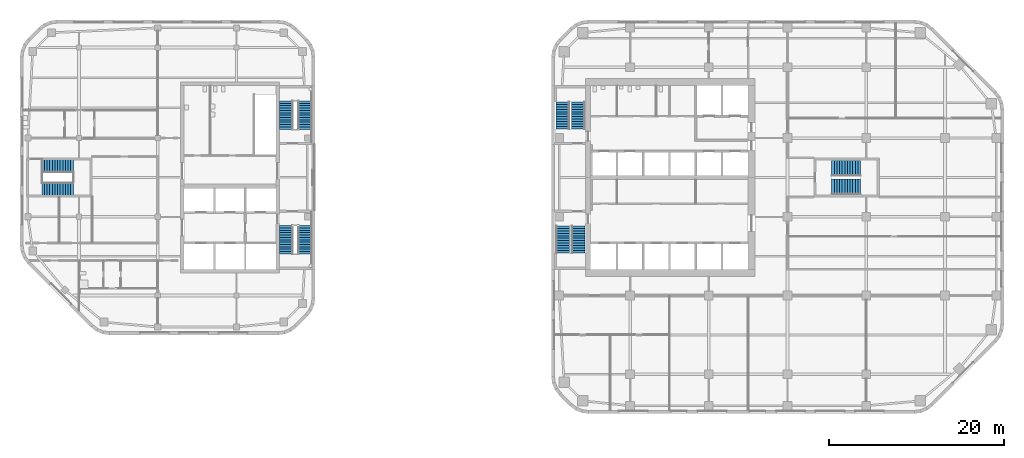
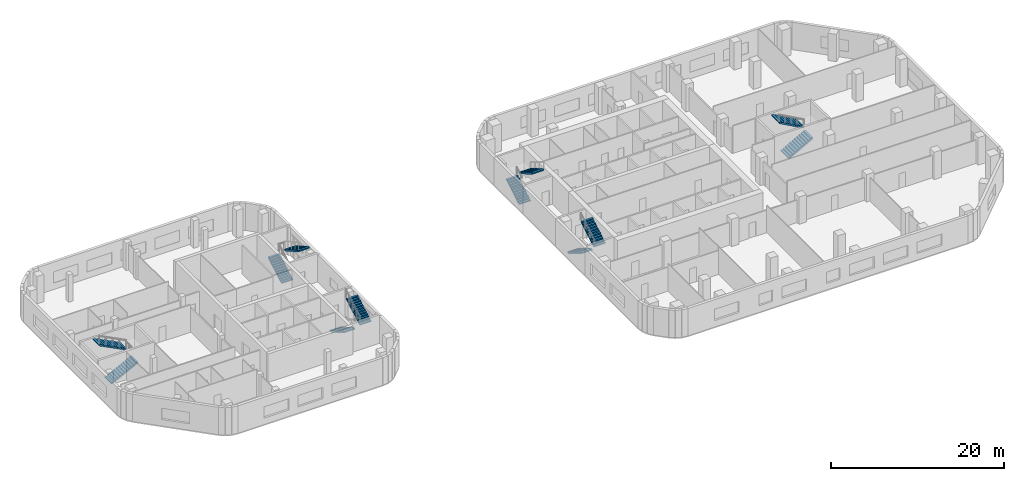
# One storey, part 11 of 14: 12 stair flights, 6 elements without a shape of their own.
"""IFC4 building model written with IfcOpenShell, lengths in metres."""

from ifc_helpers import new_model, si_unit, direction, frame, origin, place, context, subcontext, project, spatial, polyline, outline, extrude, material, type_object, element, aggregate, save


model = new_model("IFC4")

# Units and contexts
model_context = context("Model", 3, precision=1e-05, world=origin(), true_north=direction((0.0, 1.0)))
body_context = subcontext(model_context, "Body", "Model", "MODEL_VIEW")
ifc_project = project(units=[si_unit("LENGTHUNIT", "METRE"), si_unit("AREAUNIT", "SQUARE_METRE"), si_unit("VOLUMEUNIT", "CUBIC_METRE"), si_unit("PLANEANGLEUNIT", "RADIAN"), si_unit("MASSUNIT", "GRAM", prefix="KILO")], contexts=[model_context])

# Site, building, storey
site_placement = place(None, origin())
site = spatial("IfcSite", under=ifc_project, at=site_placement, CompositionType="ELEMENT")
building_placement = place(site_placement, origin())
building = spatial("IfcBuilding", under=site, at=building_placement, Name="Cinnabar Reach Civic Tower", CompositionType="ELEMENT")
storey_placement = place(building_placement, frame((0.0, 0.0, 124.0)))
storey = spatial("IfcBuildingStorey", under=building, at=storey_placement, Name="L29", CompositionType="ELEMENT", Elevation=124.0)

# Stair, stair flights
ifc_material_1 = material(Name="Concrete C40/50", Category="concrete")
stair_type_1 = type_object("IfcStairType", Name="T1 Exit stair, half-turn", PredefinedType="HALF_TURN_STAIR", material=ifc_material_1)
stair_1_placement = place(storey_placement, origin())
stair_1 = element("IfcStair", 1, at=stair_1_placement, inside=storey, type_object=stair_type_1, Name="Stair T1-S1", PredefinedType="HALF_TURN_STAIR")
stair_flight_type_1 = type_object("IfcStairFlightType", Name="T1 Stair flight, concrete", PredefinedType="STRAIGHT", material=ifc_material_1)
stair_flight_1_placement = place(storey_placement, frame((1.3125, 25.95, 0.0), z_axis=(0.0, 0.0, 1.0), x_axis=(0.0, -1.0, 0.0)))
stair_flight_1 = element("IfcStairFlight", 2, at=stair_flight_1_placement, type_object=stair_flight_type_1, Name="T1-S1 flight 1", NumberOfRisers=12, NumberOfTreads=11, PredefinedType="STRAIGHT", RiserHeight=0.166666667, TreadLength=0.28, context=body_context, shape_type="SweptSolid", body=[
    extrude(outline(polyline([(0.0, 0.0), (0.0, 0.1667), (0.28, 0.1667), (0.28, 0.3333), (0.56, 0.3333), (0.56, 0.5), (0.84, 0.5), (0.84, 0.6667), (1.12, 0.6667), (1.12, 0.8333), (1.4, 0.8333), (1.4, 1.0), (1.68, 1.0), (1.68, 1.1667), (1.96, 1.1667), (1.96, 1.3333), (2.24, 1.3333), (2.24, 1.5), (2.52, 1.5), (2.52, 1.6667), (2.8, 1.6667), (2.8, 1.8333), (3.08, 1.8333), (3.08, 2.0), (3.08, 1.6588), (0.2933, 0.0), (0.0, 0.0)])), frame((0.0, 0.7625, 0.0), z_axis=(0.0, -1.0, 0.0), x_axis=(1.0, 0.0, 0.0)), (0.0, 0.0, 1.0), 1.525),
])
stair_flight_2_placement = place(storey_placement, frame((3.0875, 22.87, 2.0), z_axis=(0.0, 0.0, 1.0), x_axis=(0.0, 1.0, 0.0)))
stair_flight_2 = element("IfcStairFlight", 3, at=stair_flight_2_placement, type_object=stair_flight_type_1, Name="T1-S1 flight 2", NumberOfRisers=12, NumberOfTreads=11, PredefinedType="STRAIGHT", RiserHeight=0.166666667, TreadLength=0.28, context=body_context, shape_type="SweptSolid", body=[
    extrude(outline(polyline([(0.0, 0.0), (0.0, 0.1667), (0.28, 0.1667), (0.28, 0.3333), (0.56, 0.3333), (0.56, 0.5), (0.84, 0.5), (0.84, 0.6667), (1.12, 0.6667), (1.12, 0.8333), (1.4, 0.8333), (1.4, 1.0), (1.68, 1.0), (1.68, 1.1667), (1.96, 1.1667), (1.96, 1.3333), (2.24, 1.3333), (2.24, 1.5), (2.52, 1.5), (2.52, 1.6667), (2.8, 1.6667), (2.8, 1.8333), (3.08, 1.8333), (3.08, 2.0), (3.08, 1.6588), (0.2933, 0.0), (0.0, 0.0)])), frame((0.0, 0.7625, 0.0), z_axis=(0.0, -1.0, 0.0), x_axis=(1.0, 0.0, 0.0)), (0.0, 0.0, 1.0), 1.525),
])
aggregate(stair_1, [stair_flight_1, stair_flight_2])

stair_2_placement = place(storey_placement, origin())
stair_2 = element("IfcStair", 4, at=stair_2_placement, inside=storey, type_object=stair_type_1, Name="Stair T1-S2", PredefinedType="HALF_TURN_STAIR")
stair_flight_3_placement = place(storey_placement, frame((1.3125, 37.05, 0.0), z_axis=(0.0, 0.0, 1.0), x_axis=(0.0, 1.0, 0.0)))
stair_flight_3 = element("IfcStairFlight", 5, at=stair_flight_3_placement, type_object=stair_flight_type_1, Name="T1-S2 flight 1", NumberOfRisers=12, NumberOfTreads=11, PredefinedType="STRAIGHT", RiserHeight=0.166666667, TreadLength=0.28, context=body_context, shape_type="SweptSolid", body=[
    extrude(outline(polyline([(0.0, 0.0), (0.0, 0.1667), (0.28, 0.1667), (0.28, 0.3333), (0.56, 0.3333), (0.56, 0.5), (0.84, 0.5), (0.84, 0.6667), (1.12, 0.6667), (1.12, 0.8333), (1.4, 0.8333), (1.4, 1.0), (1.68, 1.0), (1.68, 1.1667), (1.96, 1.1667), (1.96, 1.3333), (2.24, 1.3333), (2.24, 1.5), (2.52, 1.5), (2.52, 1.6667), (2.8, 1.6667), (2.8, 1.8333), (3.08, 1.8333), (3.08, 2.0), (3.08, 1.6588), (0.2933, 0.0), (0.0, 0.0)])), frame((0.0, 0.7625, 0.0), z_axis=(0.0, -1.0, 0.0), x_axis=(1.0, 0.0, 0.0)), (0.0, 0.0, 1.0), 1.525),
])
stair_flight_4_placement = place(storey_placement, frame((3.0875, 40.13, 2.0), z_axis=(0.0, 0.0, 1.0), x_axis=(0.0, -1.0, 0.0)))
stair_flight_4 = element("IfcStairFlight", 6, at=stair_flight_4_placement, type_object=stair_flight_type_1, Name="T1-S2 flight 2", NumberOfRisers=12, NumberOfTreads=11, PredefinedType="STRAIGHT", RiserHeight=0.166666667, TreadLength=0.28, context=body_context, shape_type="SweptSolid", body=[
    extrude(outline(polyline([(0.0, 0.0), (0.0, 0.1667), (0.28, 0.1667), (0.28, 0.3333), (0.56, 0.3333), (0.56, 0.5), (0.84, 0.5), (0.84, 0.6667), (1.12, 0.6667), (1.12, 0.8333), (1.4, 0.8333), (1.4, 1.0), (1.68, 1.0), (1.68, 1.1667), (1.96, 1.1667), (1.96, 1.3333), (2.24, 1.3333), (2.24, 1.5), (2.52, 1.5), (2.52, 1.6667), (2.8, 1.6667), (2.8, 1.8333), (3.08, 1.8333), (3.08, 2.0), (3.08, 1.6588), (0.2933, 0.0), (0.0, 0.0)])), frame((0.0, 0.7625, 0.0), z_axis=(0.0, -1.0, 0.0), x_axis=(1.0, 0.0, 0.0)), (0.0, 0.0, 1.0), 1.525),
])
aggregate(stair_2, [stair_flight_3, stair_flight_4])

stair_3_placement = place(storey_placement, origin())
stair_3 = element("IfcStair", 7, at=stair_3_placement, inside=storey, type_object=stair_type_1, Name="Stair T1-S3", PredefinedType="HALF_TURN_STAIR")
stair_flight_5_placement = place(storey_placement, frame((32.05, 30.45, 0.0), z_axis=(0.0, 0.0, 1.0), x_axis=(1.0, 0.0, 0.0)))
stair_flight_5 = element("IfcStairFlight", 8, at=stair_flight_5_placement, type_object=stair_flight_type_1, Name="T1-S3 flight 1", NumberOfRisers=12, NumberOfTreads=11, PredefinedType="STRAIGHT", RiserHeight=0.166666667, TreadLength=0.3, context=body_context, shape_type="SweptSolid", body=[
    extrude(outline(polyline([(0.0, 0.0), (0.0, 0.1667), (0.3, 0.1667), (0.3, 0.3333), (0.6, 0.3333), (0.6, 0.5), (0.9, 0.5), (0.9, 0.6667), (1.2, 0.6667), (1.2, 0.8333), (1.5, 0.8333), (1.5, 1.0), (1.8, 1.0), (1.8, 1.1667), (2.1, 1.1667), (2.1, 1.3333), (2.4, 1.3333), (2.4, 1.5), (2.7, 1.5), (2.7, 1.6667), (3.0, 1.6667), (3.0, 1.8333), (3.3, 1.8333), (3.3, 2.0), (3.3, 1.6617), (0.3089, 0.0), (0.0, 0.0)])), frame((0.0, 0.9, 0.0), z_axis=(0.0, -1.0, 0.0), x_axis=(1.0, 0.0, 0.0)), (0.0, 0.0, 1.0), 1.8),
])
stair_flight_6_placement = place(storey_placement, frame((35.35, 32.55, 2.0), z_axis=(0.0, 0.0, 1.0), x_axis=(-1.0, 0.0, 0.0)))
stair_flight_6 = element("IfcStairFlight", 9, at=stair_flight_6_placement, type_object=stair_flight_type_1, Name="T1-S3 flight 2", NumberOfRisers=12, NumberOfTreads=11, PredefinedType="STRAIGHT", RiserHeight=0.166666667, TreadLength=0.3, context=body_context, shape_type="SweptSolid", body=[
    extrude(outline(polyline([(0.0, 0.0), (0.0, 0.1667), (0.3, 0.1667), (0.3, 0.3333), (0.6, 0.3333), (0.6, 0.5), (0.9, 0.5), (0.9, 0.6667), (1.2, 0.6667), (1.2, 0.8333), (1.5, 0.8333), (1.5, 1.0), (1.8, 1.0), (1.8, 1.1667), (2.1, 1.1667), (2.1, 1.3333), (2.4, 1.3333), (2.4, 1.5), (2.7, 1.5), (2.7, 1.6667), (3.0, 1.6667), (3.0, 1.8333), (3.3, 1.8333), (3.3, 2.0), (3.3, 1.6617), (0.3089, 0.0), (0.0, 0.0)])), frame((0.0, 0.9, 0.0), z_axis=(0.0, -1.0, 0.0), x_axis=(1.0, 0.0, 0.0)), (0.0, 0.0, 1.0), 1.8),
])
aggregate(stair_3, [stair_flight_5, stair_flight_6])

ifc_material_2 = material(Name="Concrete C40", Category="concrete")
stair_type_2 = type_object("IfcStairType", Name="T2 Exit stair 1500", PredefinedType="HALF_TURN_STAIR", material=ifc_material_2)
stair_4_placement = place(storey_placement, origin())
stair_4 = element("IfcStair", 10, at=stair_4_placement, inside=storey, type_object=stair_type_2, Name="Exit stair 1", PredefinedType="HALF_TURN_STAIR")
stair_flight_type_2 = type_object("IfcStairFlightType", Name="T2 Stair flight 1500", PredefinedType="STRAIGHT", material=ifc_material_2)
stair_flight_7_placement = place(storey_placement, frame((-30.35, 26.0, 0.0), z_axis=(0.0, 0.0, 1.0), x_axis=(0.0, -1.0, 0.0)))
stair_flight_7 = element("IfcStairFlight", 11, at=stair_flight_7_placement, type_object=stair_flight_type_2, Name="ST1 flight 1", NumberOfRisers=13, NumberOfTreads=12, PredefinedType="STRAIGHT", RiserHeight=0.153846154, TreadLength=0.270833333, context=body_context, shape_type="SweptSolid", body=[
    extrude(outline(polyline([(0.0, 0.0), (0.0, 0.1538), (0.2708, 0.1538), (0.2708, 0.3077), (0.5417, 0.3077), (0.5417, 0.4615), (0.8125, 0.4615), (0.8125, 0.6154), (1.0833, 0.6154), (1.0833, 0.7692), (1.3542, 0.7692), (1.3542, 0.9231), (1.625, 0.9231), (1.625, 1.0769), (1.8958, 1.0769), (1.8958, 1.2308), (2.1667, 1.2308), (2.1667, 1.3846), (2.4375, 1.3846), (2.4375, 1.5385), (2.7083, 1.5385), (2.7083, 1.6923), (2.9792, 1.6923), (2.9792, 1.8462), (3.25, 1.8462), (3.25, 2.0), (3.25, 1.6736), (0.3037, 0.0), (0.0, 0.0)])), frame((0.0, 0.75, 0.0), z_axis=(0.0, -1.0, 0.0), x_axis=(1.0, 0.0, 0.0)), (0.0, 0.0, 1.0), 1.5),
])
stair_flight_8_placement = place(storey_placement, frame((-28.15, 22.75, 2.0), z_axis=(0.0, 0.0, 1.0), x_axis=(0.0, 1.0, 0.0)))
stair_flight_8 = element("IfcStairFlight", 12, at=stair_flight_8_placement, type_object=stair_flight_type_2, Name="ST1 flight 2", NumberOfRisers=13, NumberOfTreads=12, PredefinedType="STRAIGHT", RiserHeight=0.153846154, TreadLength=0.270833333, context=body_context, shape_type="SweptSolid", body=[
    extrude(outline(polyline([(0.0, 0.0), (0.0, 0.1538), (0.2708, 0.1538), (0.2708, 0.3077), (0.5417, 0.3077), (0.5417, 0.4615), (0.8125, 0.4615), (0.8125, 0.6154), (1.0833, 0.6154), (1.0833, 0.7692), (1.3542, 0.7692), (1.3542, 0.9231), (1.625, 0.9231), (1.625, 1.0769), (1.8958, 1.0769), (1.8958, 1.2308), (2.1667, 1.2308), (2.1667, 1.3846), (2.4375, 1.3846), (2.4375, 1.5385), (2.7083, 1.5385), (2.7083, 1.6923), (2.9792, 1.6923), (2.9792, 1.8462), (3.25, 1.8462), (3.25, 2.0), (3.25, 1.6736), (0.3037, 0.0), (0.0, 0.0)])), frame((0.0, 0.75, 0.0), z_axis=(0.0, -1.0, 0.0), x_axis=(1.0, 0.0, 0.0)), (0.0, 0.0, 1.0), 1.5),
])
aggregate(stair_4, [stair_flight_7, stair_flight_8])

stair_5_placement = place(storey_placement, origin())
stair_5 = element("IfcStair", 13, at=stair_5_placement, inside=storey, type_object=stair_type_2, Name="Exit stair 2", PredefinedType="HALF_TURN_STAIR")
stair_flight_9_placement = place(storey_placement, frame((-30.35, 37.0, 0.0), z_axis=(0.0, 0.0, 1.0), x_axis=(0.0, 1.0, 0.0)))
stair_flight_9 = element("IfcStairFlight", 14, at=stair_flight_9_placement, type_object=stair_flight_type_2, Name="ST2 flight 1", NumberOfRisers=13, NumberOfTreads=12, PredefinedType="STRAIGHT", RiserHeight=0.153846154, TreadLength=0.270833333, context=body_context, shape_type="SweptSolid", body=[
    extrude(outline(polyline([(0.0, 0.0), (0.0, 0.1538), (0.2708, 0.1538), (0.2708, 0.3077), (0.5417, 0.3077), (0.5417, 0.4615), (0.8125, 0.4615), (0.8125, 0.6154), (1.0833, 0.6154), (1.0833, 0.7692), (1.3542, 0.7692), (1.3542, 0.9231), (1.625, 0.9231), (1.625, 1.0769), (1.8958, 1.0769), (1.8958, 1.2308), (2.1667, 1.2308), (2.1667, 1.3846), (2.4375, 1.3846), (2.4375, 1.5385), (2.7083, 1.5385), (2.7083, 1.6923), (2.9792, 1.6923), (2.9792, 1.8462), (3.25, 1.8462), (3.25, 2.0), (3.25, 1.6736), (0.3037, 0.0), (0.0, 0.0)])), frame((0.0, 0.75, 0.0), z_axis=(0.0, -1.0, 0.0), x_axis=(1.0, 0.0, 0.0)), (0.0, 0.0, 1.0), 1.5),
])
stair_flight_10_placement = place(storey_placement, frame((-28.15, 40.25, 2.0), z_axis=(0.0, 0.0, 1.0), x_axis=(0.0, -1.0, 0.0)))
stair_flight_10 = element("IfcStairFlight", 15, at=stair_flight_10_placement, type_object=stair_flight_type_2, Name="ST2 flight 2", NumberOfRisers=13, NumberOfTreads=12, PredefinedType="STRAIGHT", RiserHeight=0.153846154, TreadLength=0.270833333, context=body_context, shape_type="SweptSolid", body=[
    extrude(outline(polyline([(0.0, 0.0), (0.0, 0.1538), (0.2708, 0.1538), (0.2708, 0.3077), (0.5417, 0.3077), (0.5417, 0.4615), (0.8125, 0.4615), (0.8125, 0.6154), (1.0833, 0.6154), (1.0833, 0.7692), (1.3542, 0.7692), (1.3542, 0.9231), (1.625, 0.9231), (1.625, 1.0769), (1.8958, 1.0769), (1.8958, 1.2308), (2.1667, 1.2308), (2.1667, 1.3846), (2.4375, 1.3846), (2.4375, 1.5385), (2.7083, 1.5385), (2.7083, 1.6923), (2.9792, 1.6923), (2.9792, 1.8462), (3.25, 1.8462), (3.25, 2.0), (3.25, 1.6736), (0.3037, 0.0), (0.0, 0.0)])), frame((0.0, 0.75, 0.0), z_axis=(0.0, -1.0, 0.0), x_axis=(1.0, 0.0, 0.0)), (0.0, 0.0, 1.0), 1.5),
])
aggregate(stair_5, [stair_flight_9, stair_flight_10])

stair_6_placement = place(storey_placement, origin())
stair_6 = element("IfcStair", 16, at=stair_6_placement, inside=storey, type_object=stair_type_2, Name="Exit stair 3", PredefinedType="HALF_TURN_STAIR")
stair_flight_11_placement = place(storey_placement, frame((-58.25, 30.125, 0.0), z_axis=(0.0, 0.0, 1.0), x_axis=(1.0, 0.0, 0.0)))
stair_flight_11 = element("IfcStairFlight", 17, at=stair_flight_11_placement, type_object=stair_flight_type_2, Name="ST3 flight 1", NumberOfRisers=13, NumberOfTreads=12, PredefinedType="STRAIGHT", RiserHeight=0.153846154, TreadLength=0.3, context=body_context, shape_type="SweptSolid", body=[
    extrude(outline(polyline([(0.0, 0.0), (0.0, 0.1538), (0.3, 0.1538), (0.3, 0.3077), (0.6, 0.3077), (0.6, 0.4615), (0.9, 0.4615), (0.9, 0.6154), (1.2, 0.6154), (1.2, 0.7692), (1.5, 0.7692), (1.5, 0.9231), (1.8, 0.9231), (1.8, 1.0769), (2.1, 1.0769), (2.1, 1.2308), (2.4, 1.2308), (2.4, 1.3846), (2.7, 1.3846), (2.7, 1.5385), (3.0, 1.5385), (3.0, 1.6923), (3.3, 1.6923), (3.3, 1.8462), (3.6, 1.8462), (3.6, 2.0), (3.6, 1.6776), (0.3287, 0.0), (0.0, 0.0)])), frame((0.0, 0.75, 0.0), z_axis=(0.0, -1.0, 0.0), x_axis=(1.0, 0.0, 0.0)), (0.0, 0.0, 1.0), 1.5),
])
stair_flight_12_placement = place(storey_placement, frame((-54.65, 32.875, 2.0), z_axis=(0.0, 0.0, 1.0), x_axis=(-1.0, 0.0, 0.0)))
stair_flight_12 = element("IfcStairFlight", 18, at=stair_flight_12_placement, type_object=stair_flight_type_2, Name="ST3 flight 2", NumberOfRisers=13, NumberOfTreads=12, PredefinedType="STRAIGHT", RiserHeight=0.153846154, TreadLength=0.3, context=body_context, shape_type="SweptSolid", body=[
    extrude(outline(polyline([(0.0, 0.0), (0.0, 0.1538), (0.3, 0.1538), (0.3, 0.3077), (0.6, 0.3077), (0.6, 0.4615), (0.9, 0.4615), (0.9, 0.6154), (1.2, 0.6154), (1.2, 0.7692), (1.5, 0.7692), (1.5, 0.9231), (1.8, 0.9231), (1.8, 1.0769), (2.1, 1.0769), (2.1, 1.2308), (2.4, 1.2308), (2.4, 1.3846), (2.7, 1.3846), (2.7, 1.5385), (3.0, 1.5385), (3.0, 1.6923), (3.3, 1.6923), (3.3, 1.8462), (3.6, 1.8462), (3.6, 2.0), (3.6, 1.6776), (0.3287, 0.0), (0.0, 0.0)])), frame((0.0, 0.75, 0.0), z_axis=(0.0, -1.0, 0.0), x_axis=(1.0, 0.0, 0.0)), (0.0, 0.0, 1.0), 1.5),
])
aggregate(stair_6, [stair_flight_11, stair_flight_12])

save(model, "model.ifc")
